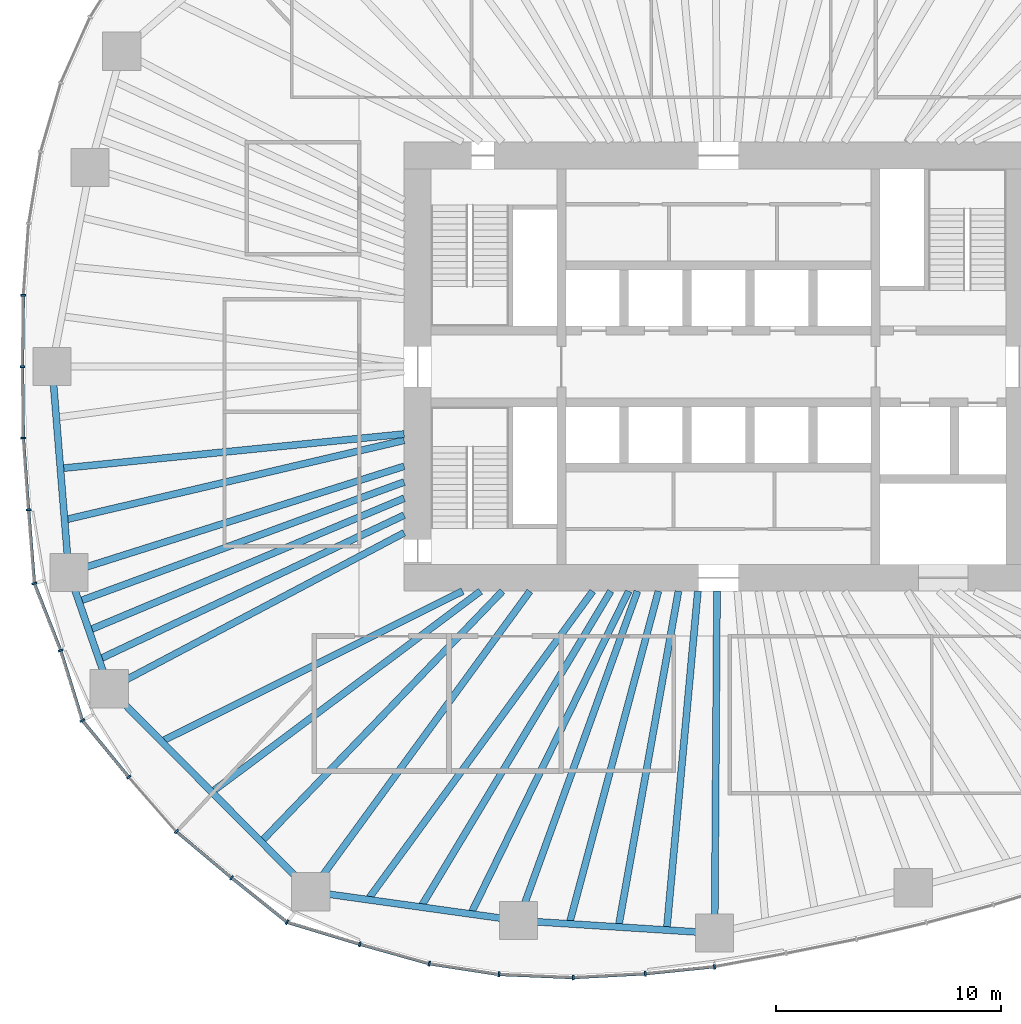
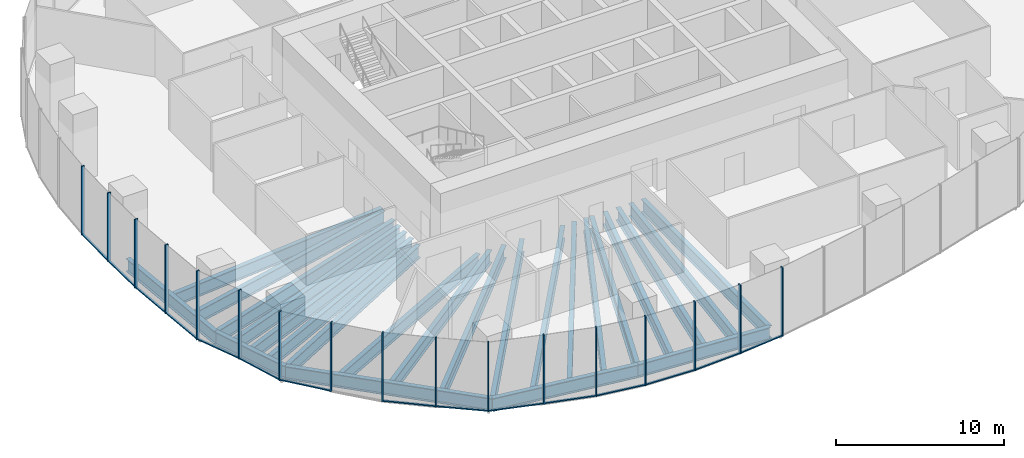
# One storey, part 2 of 20: 32 members, 24 beams, 7 elements without a shape of their own.
"""IFC4 building model written with IfcOpenShell, lengths in metres."""

from ifc_helpers import new_model, si_unit, direction, frame, origin, origin_2d, place, context, subcontext, project, spatial, rectangle, i_section, extrude, material, material_profile, profile_set, type_object, element, aggregate, save


model = new_model("IFC4")

# Units and contexts
model_context = context("Model", 3, precision=1e-05, world=origin(), true_north=direction((0.0, 1.0)))
body_context = subcontext(model_context, "Body", "Model", "MODEL_VIEW")
ifc_project = project(units=[si_unit("LENGTHUNIT", "METRE"), si_unit("AREAUNIT", "SQUARE_METRE"), si_unit("VOLUMEUNIT", "CUBIC_METRE"), si_unit("PLANEANGLEUNIT", "RADIAN"), si_unit("MASSUNIT", "GRAM", prefix="KILO")], contexts=[model_context])

# Site, building, storey
site_placement = place(None, origin())
site = spatial("IfcSite", under=ifc_project, at=site_placement, CompositionType="ELEMENT")
building_placement = place(site_placement, origin())
building = spatial("IfcBuilding", under=site, at=building_placement, Name="Ghaith Harvest Tower", CompositionType="ELEMENT")
storey_placement = place(building_placement, frame((0.0, 0.0, 65.0)))
storey = spatial("IfcBuildingStorey", under=building, at=storey_placement, Name="L13", CompositionType="ELEMENT", Elevation=65.0)

# Curtain wall, member
ifc_material_1 = material(Name="Black anodised aluminium and fritted glass", Category="aluminium")
curtain_wall_type = type_object("IfcCurtainWallType", Name="CW-F CURTAIN WALL", PredefinedType="NOTDEFINED", material=ifc_material_1)
curtain_wall_1_placement = place(storey_placement, origin())
curtain_wall_1 = element("IfcCurtainWall", 1, at=curtain_wall_1_placement, inside=storey, type_object=curtain_wall_type, Name="Curtain wall CW-F bay 10 L13", PredefinedType="NOTDEFINED")
ifc_material_2 = material(Name="Aluminium, black anodised", Category="aluminium")
ifc_material_profile_1 = material_profile(ifc_material_2, rectangle(XDim=0.080078125, YDim=0.219970703125, at=origin_2d()), Name="CW-F MULLION 80x220")
ifc_profile_set_1 = profile_set([ifc_material_profile_1], Name="Aluminium, black anodised")
member_type_1 = type_object("IfcMemberType", Name="CW-F MULLION 80x220", PredefinedType="MULLION", material=ifc_profile_set_1)
member_1_placement = place(storey_placement, frame((-30.95654296875, 3.177978515625, 0.0), z_axis=(0.0, 0.0, 1.0), x_axis=(-0.042427007767, -0.999099569118, 0.0)))
member_1 = element("IfcMember", 2, at=member_1_placement, type_object=member_type_1, Name="CW-F mullion 3 bay 10 L13", PredefinedType="MULLION", context=body_context, shape_type="SweptSolid", body=[
    extrude(rectangle(XDim=0.080078125, YDim=0.219970703125, at=origin_2d()), origin(), (0.0, 0.0, 1.0), 5.0),
])

# Curtain wall, members
curtain_wall_2_placement = place(storey_placement, origin())
curtain_wall_2 = element("IfcCurtainWall", 3, at=curtain_wall_2_placement, inside=storey, type_object=curtain_wall_type, Name="Curtain wall CW-F bay 11 L13", PredefinedType="NOTDEFINED")
member_2_placement = place(storey_placement, frame((-30.9951171875, 0.0, 0.0), z_axis=(0.0, 0.0, 1.0), x_axis=(1.4e-10, -1.0, 0.0)))
member_2 = element("IfcMember", 4, at=member_2_placement, type_object=member_type_1, Name="CW-F mullion 1 bay 11 L13", PredefinedType="MULLION", context=body_context, shape_type="SweptSolid", body=[
    extrude(rectangle(XDim=0.080078125, YDim=0.219970703125, at=origin_2d()), origin(), (0.0, 0.0, 1.0), 5.0),
])
member_3_placement = place(storey_placement, frame((-30.95654296875, -3.177978515625, 0.0), z_axis=(0.0, 0.0, 1.0), x_axis=(0.042427007872, -0.999099569114, 0.0)))
member_3 = element("IfcMember", 5, at=member_3_placement, type_object=member_type_1, Name="CW-F mullion 2 bay 11 L13", PredefinedType="MULLION", context=body_context, shape_type="SweptSolid", body=[
    extrude(rectangle(XDim=0.080078125, YDim=0.219970703125, at=origin_2d()), origin(), (0.0, 0.0, 1.0), 5.0),
])
member_4_placement = place(storey_placement, frame((-30.724365234375, -6.37548828125, 0.0), z_axis=(0.0, 0.0, 1.0), x_axis=(0.07568573288, -0.997131721408, 0.0)))
member_4 = element("IfcMember", 6, at=member_4_placement, type_object=member_type_1, Name="CW-F mullion 3 bay 11 L13", PredefinedType="MULLION", context=body_context, shape_type="SweptSolid", body=[
    extrude(rectangle(XDim=0.080078125, YDim=0.219970703125, at=origin_2d()), origin(), (0.0, 0.0, 1.0), 5.0),
])

curtain_wall_3_placement = place(storey_placement, origin())
curtain_wall_3 = element("IfcCurtainWall", 7, at=curtain_wall_3_placement, inside=storey, type_object=curtain_wall_type, Name="Curtain wall CW-F bay 12 L13", PredefinedType="NOTDEFINED")
member_5_placement = place(storey_placement, frame((-30.46484375, -9.65478515625, 0.0), z_axis=(0.0, 0.0, 1.0), x_axis=(0.222967363441, -0.974825910017, 0.0)))
member_5 = element("IfcMember", 8, at=member_5_placement, type_object=member_type_1, Name="CW-F mullion 1 bay 12 L13", PredefinedType="MULLION", context=body_context, shape_type="SweptSolid", body=[
    extrude(rectangle(XDim=0.080078125, YDim=0.219970703125, at=origin_2d()), origin(), (0.0, 0.0, 1.0), 5.0),
])
member_6_placement = place(storey_placement, frame((-29.29248046875, -12.63525390625, 0.0), z_axis=(0.0, 0.0, 1.0), x_axis=(0.330700518925, -0.943735750506, 0.0)))
member_6 = element("IfcMember", 9, at=member_6_placement, type_object=member_type_1, Name="CW-F mullion 2 bay 12 L13", PredefinedType="MULLION", context=body_context, shape_type="SweptSolid", body=[
    extrude(rectangle(XDim=0.080078125, YDim=0.219970703125, at=origin_2d()), origin(), (0.0, 0.0, 1.0), 5.0),
])
member_7_placement = place(storey_placement, frame((-28.3271484375, -15.7548828125, 0.0), z_axis=(0.0, 0.0, 1.0), x_axis=(0.473265082527, -0.880920065421, 0.0)))
member_7 = element("IfcMember", 10, at=member_7_placement, type_object=member_type_1, Name="CW-F mullion 3 bay 12 L13", PredefinedType="MULLION", context=body_context, shape_type="SweptSolid", body=[
    extrude(rectangle(XDim=0.080078125, YDim=0.219970703125, at=origin_2d()), origin(), (0.0, 0.0, 1.0), 5.0),
])

curtain_wall_4_placement = place(storey_placement, origin())
curtain_wall_4 = element("IfcCurtainWall", 11, at=curtain_wall_4_placement, inside=storey, type_object=curtain_wall_type, Name="Curtain wall CW-F bay 13 L13", PredefinedType="NOTDEFINED")
member_8_placement = place(storey_placement, frame((-26.26318359375, -18.274169921875, 0.0), z_axis=(0.0, 0.0, 1.0), x_axis=(0.646523538748, -0.762894038412, 0.0)))
member_8 = element("IfcMember", 12, at=member_8_placement, type_object=member_type_1, Name="CW-F mullion 1 bay 13 L13", PredefinedType="MULLION", context=body_context, shape_type="SweptSolid", body=[
    extrude(rectangle(XDim=0.080078125, YDim=0.219970703125, at=origin_2d()), origin(), (0.0, 0.0, 1.0), 5.0),
])
member_9_placement = place(storey_placement, frame((-24.139404296875, -20.696533203125, 0.0), z_axis=(0.0, 0.0, 1.0), x_axis=(0.714663248554, -0.699468684907, 0.0)))
member_9 = element("IfcMember", 13, at=member_9_placement, type_object=member_type_1, Name="CW-F mullion 2 bay 13 L13", PredefinedType="MULLION", context=body_context, shape_type="SweptSolid", body=[
    extrude(rectangle(XDim=0.080078125, YDim=0.219970703125, at=origin_2d()), origin(), (0.0, 0.0, 1.0), 5.0),
])
member_10_placement = place(storey_placement, frame((-21.681640625, -22.758056640625, 0.0), z_axis=(0.0, 0.0, 1.0), x_axis=(0.773138721505, -0.634236956751, 0.0)))
member_10 = element("IfcMember", 14, at=member_10_placement, type_object=member_type_1, Name="CW-F mullion 3 bay 13 L13", PredefinedType="MULLION", context=body_context, shape_type="SweptSolid", body=[
    extrude(rectangle(XDim=0.080078125, YDim=0.219970703125, at=origin_2d()), origin(), (0.0, 0.0, 1.0), 5.0),
])

curtain_wall_5_placement = place(storey_placement, origin())
curtain_wall_5 = element("IfcCurtainWall", 15, at=curtain_wall_5_placement, inside=storey, type_object=curtain_wall_type, Name="Curtain wall CW-F bay 14 L13", PredefinedType="NOTDEFINED")
member_11_placement = place(storey_placement, frame((-19.212646484375, -24.73828125, 0.0), z_axis=(0.0, 0.0, 1.0), x_axis=(0.887912253774, -0.460012858079, 0.0)))
member_11 = element("IfcMember", 16, at=member_11_placement, type_object=member_type_1, Name="CW-F mullion 1 bay 14 L13", PredefinedType="MULLION", context=body_context, shape_type="SweptSolid", body=[
    extrude(rectangle(XDim=0.080078125, YDim=0.219970703125, at=origin_2d()), origin(), (0.0, 0.0, 1.0), 5.0),
])
member_12_placement = place(storey_placement, frame((-15.97119140625, -25.716552734375, 0.0), z_axis=(0.0, 0.0, 1.0), x_axis=(0.960008876539, -0.279969564356, 0.0)))
member_12 = element("IfcMember", 17, at=member_12_placement, type_object=member_type_1, Name="CW-F mullion 2 bay 14 L13", PredefinedType="MULLION", context=body_context, shape_type="SweptSolid", body=[
    extrude(rectangle(XDim=0.080078125, YDim=0.219970703125, at=origin_2d()), origin(), (0.0, 0.0, 1.0), 5.0),
])
member_13_placement = place(storey_placement, frame((-12.880615234375, -26.5849609375, 0.0), z_axis=(0.0, 0.0, 1.0), x_axis=(0.977207016024, -0.212288595628, 0.0)))
member_13 = element("IfcMember", 18, at=member_13_placement, type_object=member_type_1, Name="CW-F mullion 3 bay 14 L13", PredefinedType="MULLION", context=body_context, shape_type="SweptSolid", body=[
    extrude(rectangle(XDim=0.080078125, YDim=0.219970703125, at=origin_2d()), origin(), (0.0, 0.0, 1.0), 5.0),
])

curtain_wall_6_placement = place(storey_placement, origin())
curtain_wall_6 = element("IfcCurtainWall", 19, at=curtain_wall_6_placement, inside=storey, type_object=curtain_wall_type, Name="Curtain wall CW-F bay 15 L13", PredefinedType="NOTDEFINED")
member_14_placement = place(storey_placement, frame((-9.7744140625, -27.062744140625, 0.0), z_axis=(0.0, 0.0, 1.0), x_axis=(0.995408459417, -0.095718331168, 0.0)))
member_14 = element("IfcMember", 20, at=member_14_placement, type_object=member_type_1, Name="CW-F mullion 1 bay 15 L13", PredefinedType="MULLION", context=body_context, shape_type="SweptSolid", body=[
    extrude(rectangle(XDim=0.080078125, YDim=0.219970703125, at=origin_2d()), origin(), (0.0, 0.0, 1.0), 5.0),
])
member_15_placement = place(storey_placement, frame((-6.465087890625, -27.20166015625, 0.0), z_axis=(0.0, 0.0, 1.0), x_axis=(0.999987206373, 0.005058368251, 0.0)))
member_15 = element("IfcMember", 21, at=member_15_placement, type_object=member_type_1, Name="CW-F mullion 2 bay 15 L13", PredefinedType="MULLION", context=body_context, shape_type="SweptSolid", body=[
    extrude(rectangle(XDim=0.080078125, YDim=0.219970703125, at=origin_2d()), origin(), (0.0, 0.0, 1.0), 5.0),
])
member_16_placement = place(storey_placement, frame((-3.261962890625, -27.02978515625, 0.0), z_axis=(0.0, 0.0, 1.0), x_axis=(0.997037536276, 0.07691652135, 0.0)))
member_16 = element("IfcMember", 22, at=member_16_placement, type_object=member_type_1, Name="CW-F mullion 3 bay 15 L13", PredefinedType="MULLION", context=body_context, shape_type="SweptSolid", body=[
    extrude(rectangle(XDim=0.080078125, YDim=0.219970703125, at=origin_2d()), origin(), (0.0, 0.0, 1.0), 5.0),
])

# Curtain wall, member
curtain_wall_7_placement = place(storey_placement, origin())
curtain_wall_7 = element("IfcCurtainWall", 23, at=curtain_wall_7_placement, inside=storey, type_object=curtain_wall_type, Name="Curtain wall CW-F bay 16 L13", PredefinedType="NOTDEFINED")
member_17_placement = place(storey_placement, frame((-0.182861328125, -26.717041015625, 0.0), z_axis=(0.0, 0.0, 1.0), x_axis=(0.98971187144, 0.143074845907, 0.0)))
member_17 = element("IfcMember", 24, at=member_17_placement, type_object=member_type_1, Name="CW-F mullion 1 bay 16 L13", PredefinedType="MULLION", context=body_context, shape_type="SweptSolid", body=[
    extrude(rectangle(XDim=0.080078125, YDim=0.219970703125, at=origin_2d()), origin(), (0.0, 0.0, 1.0), 5.0),
])
aggregate(curtain_wall_7, [member_17])

# Member
ifc_material_3 = material(Name="Aluminium, black anodised", Category="aluminium")
ifc_material_profile_2 = material_profile(ifc_material_3, rectangle(XDim=0.139892578125, YDim=0.080078125, at=origin_2d()), Name="CW-F TRANSOM 140x80")
ifc_profile_set_2 = profile_set([ifc_material_profile_2], Name="Aluminium, black anodised")
member_type_2 = type_object("IfcMemberType", Name="CW-F TRANSOM 140x80", PredefinedType="USERDEFINED", material=ifc_profile_set_2)
member_18_placement = place(storey_placement, frame((-30.95703125, 3.137939453125, 0.0400390625), z_axis=(-0.012135602457, -0.999926360865, 0.0), x_axis=(0.999926360865, -0.012135602457, 0.0)))
member_18 = element("IfcMember", 25, at=member_18_placement, type_object=member_type_2, Name="CW-F transom 3 bay 10 L13", ObjectType="TRANSOM", PredefinedType="USERDEFINED", context=body_context, shape_type="SweptSolid", body=[
    extrude(rectangle(XDim=0.139892578125, YDim=0.080078125, at=origin_2d()), origin(), (0.0, 0.0, 1.0), 3.09814453125),
])

aggregate(curtain_wall_1, [member_1, member_18])

member_19_placement = place(storey_placement, frame((-30.99462890625, -0.0400390625, 0.0400390625), z_axis=(0.012135602457, -0.999926360865, 0.0), x_axis=(0.999926360865, 0.012135602457, 0.0)))
member_19 = element("IfcMember", 26, at=member_19_placement, type_object=member_type_2, Name="CW-F transom 1 bay 11 L13", ObjectType="TRANSOM", PredefinedType="USERDEFINED", context=body_context, shape_type="SweptSolid", body=[
    extrude(rectangle(XDim=0.139892578125, YDim=0.080078125, at=origin_2d()), origin(), (0.0, 0.0, 1.0), 3.09814453125),
])

member_20_placement = place(storey_placement, frame((-30.95361328125, -3.2177734375, 0.0400390625), z_axis=(0.072473547161, -0.997370334912, 0.0), x_axis=(0.997370334912, 0.072473547161, 0.0)))
member_20 = element("IfcMember", 27, at=member_20_placement, type_object=member_type_2, Name="CW-F transom 2 bay 11 L13", ObjectType="TRANSOM", PredefinedType="USERDEFINED", context=body_context, shape_type="SweptSolid", body=[
    extrude(rectangle(XDim=0.139892578125, YDim=0.080078125, at=origin_2d()), origin(), (0.0, 0.0, 1.0), 3.126220703125),
])

member_21_placement = place(storey_placement, frame((-30.72119140625, -6.415283203125, 0.0400390625), z_axis=(0.078877539502, -0.996884313129, 0.0), x_axis=(0.996884313129, 0.078877539502, 0.0)))
member_21 = element("IfcMember", 28, at=member_21_placement, type_object=member_type_2, Name="CW-F transom 3 bay 11 L13", ObjectType="TRANSOM", PredefinedType="USERDEFINED", context=body_context, shape_type="SweptSolid", body=[
    extrude(rectangle(XDim=0.139892578125, YDim=0.080078125, at=origin_2d()), origin(), (0.0, 0.0, 1.0), 3.209716796875),
])

aggregate(curtain_wall_2, [member_2, member_19, member_3, member_20, member_4, member_21])

member_22_placement = place(storey_placement, frame((-30.4501953125, -9.692138671875, 0.0400390625), z_axis=(0.366046617161, -0.93059651518, 0.0), x_axis=(0.93059651518, 0.366046617161, 0.0)))
member_22 = element("IfcMember", 29, at=member_22_placement, type_object=member_type_2, Name="CW-F transom 1 bay 12 L13", ObjectType="TRANSOM", PredefinedType="USERDEFINED", context=body_context, shape_type="SweptSolid", body=[
    extrude(rectangle(XDim=0.139892578125, YDim=0.080078125, at=origin_2d()), origin(), (0.0, 0.0, 1.0), 3.122802734375),
])

member_23_placement = place(storey_placement, frame((-29.28076171875, -12.673583984375, 0.0400390625), z_axis=(0.295598800908, -0.955312173534, 0.0), x_axis=(0.955312173534, 0.295598800908, 0.0)))
member_23 = element("IfcMember", 30, at=member_23_placement, type_object=member_type_2, Name="CW-F transom 2 bay 12 L13", ObjectType="TRANSOM", PredefinedType="USERDEFINED", context=body_context, shape_type="SweptSolid", body=[
    extrude(rectangle(XDim=0.139892578125, YDim=0.080078125, at=origin_2d()), origin(), (0.0, 0.0, 1.0), 3.185546875),
])

member_24_placement = place(storey_placement, frame((-28.302001953125, -15.785888671875, 0.0400390625), z_axis=(0.633790042943, -0.773505126982, 0.0), x_axis=(0.773505126982, 0.633790042943, 0.0)))
member_24 = element("IfcMember", 31, at=member_24_placement, type_object=member_type_2, Name="CW-F transom 3 bay 12 L13", ObjectType="TRANSOM", PredefinedType="USERDEFINED", context=body_context, shape_type="SweptSolid", body=[
    extrude(rectangle(XDim=0.139892578125, YDim=0.080078125, at=origin_2d()), origin(), (0.0, 0.0, 1.0), 3.1767578125),
])

aggregate(curtain_wall_3, [member_5, member_22, member_6, member_23, member_7, member_24])

member_25_placement = place(storey_placement, frame((-24.10888671875, -20.72216796875, 0.0400390625), z_axis=(0.766144434184, -0.642668426149, 0.0), x_axis=(0.642668426149, 0.766144434184, 0.0)))
member_25 = element("IfcMember", 32, at=member_25_placement, type_object=member_type_2, Name="CW-F transom 2 bay 13 L13", ObjectType="TRANSOM", PredefinedType="USERDEFINED", context=body_context, shape_type="SweptSolid", body=[
    extrude(rectangle(XDim=0.139892578125, YDim=0.080078125, at=origin_2d()), origin(), (0.0, 0.0, 1.0), 3.1279296875),
])

member_26_placement = place(storey_placement, frame((-21.650634765625, -22.783203125, 0.0400390625), z_axis=(0.780181223133, -0.625553562112, 0.0), x_axis=(0.625553562112, 0.780181223133, 0.0)))
member_26 = element("IfcMember", 33, at=member_26_placement, type_object=member_type_2, Name="CW-F transom 3 bay 13 L13", ObjectType="TRANSOM", PredefinedType="USERDEFINED", context=body_context, shape_type="SweptSolid", body=[
    extrude(rectangle(XDim=0.139892578125, YDim=0.080078125, at=origin_2d()), origin(), (0.0, 0.0, 1.0), 3.085205078125),
])

aggregate(curtain_wall_4, [member_8, member_9, member_25, member_10, member_26])

member_27_placement = place(storey_placement, frame((-19.17431640625, -24.749755859375, 0.0400390625), z_axis=(0.957335035376, -0.288980328121, 0.0), x_axis=(0.288980328121, 0.957335035376, 0.0)))
member_27 = element("IfcMember", 34, at=member_27_placement, type_object=member_type_2, Name="CW-F transom 1 bay 14 L13", ObjectType="TRANSOM", PredefinedType="USERDEFINED", context=body_context, shape_type="SweptSolid", body=[
    extrude(rectangle(XDim=0.139892578125, YDim=0.080078125, at=origin_2d()), origin(), (0.0, 0.0, 1.0), 3.305908203125),
])

member_28_placement = place(storey_placement, frame((-15.9326171875, -25.727294921875, 0.0400390625), z_axis=(0.962727128991, -0.270474536888, 0.0), x_axis=(0.270474536888, 0.962727128991, 0.0)))
member_28 = element("IfcMember", 35, at=member_28_placement, type_object=member_type_2, Name="CW-F transom 2 bay 14 L13", ObjectType="TRANSOM", PredefinedType="USERDEFINED", context=body_context, shape_type="SweptSolid", body=[
    extrude(rectangle(XDim=0.139892578125, YDim=0.080078125, at=origin_2d()), origin(), (0.0, 0.0, 1.0), 3.13037109375),
])

member_29_placement = place(storey_placement, frame((-12.841064453125, -26.591064453125, 0.0400390625), z_axis=(0.988378147633, -0.152015253451, 0.0), x_axis=(0.152015253451, 0.988378147633, 0.0)))
member_29 = element("IfcMember", 36, at=member_29_placement, type_object=member_type_2, Name="CW-F transom 3 bay 14 L13", ObjectType="TRANSOM", PredefinedType="USERDEFINED", context=body_context, shape_type="SweptSolid", body=[
    extrude(rectangle(XDim=0.139892578125, YDim=0.080078125, at=origin_2d()), origin(), (0.0, 0.0, 1.0), 3.062744140625),
])

aggregate(curtain_wall_5, [member_11, member_27, member_12, member_28, member_13, member_29])

member_30_placement = place(storey_placement, frame((-9.734375, -27.064453125, 0.0400390625), z_axis=(0.999117688764, -0.04199814281, 0.0), x_axis=(0.04199814281, 0.999117688764, 0.0)))
member_30 = element("IfcMember", 37, at=member_30_placement, type_object=member_type_2, Name="CW-F transom 1 bay 15 L13", ObjectType="TRANSOM", PredefinedType="USERDEFINED", context=body_context, shape_type="SweptSolid", body=[
    extrude(rectangle(XDim=0.139892578125, YDim=0.080078125, at=origin_2d()), origin(), (0.0, 0.0, 1.0), 3.232177734375),
])

member_31_placement = place(storey_placement, frame((-6.42529296875, -27.19970703125, 0.0400390625), z_axis=(0.99856142387, 0.053619798202, 0.0), x_axis=(-0.053619798202, 0.99856142387, 0.0)))
member_31 = element("IfcMember", 38, at=member_31_placement, type_object=member_type_2, Name="CW-F transom 2 bay 15 L13", ObjectType="TRANSOM", PredefinedType="USERDEFINED", context=body_context, shape_type="SweptSolid", body=[
    extrude(rectangle(XDim=0.139892578125, YDim=0.080078125, at=origin_2d()), origin(), (0.0, 0.0, 1.0), 3.1279296875),
])

member_32_placement = place(storey_placement, frame((-3.22216796875, -27.02587890625, 0.0400390625), z_axis=(0.994880435036, 0.101058992587, 0.0), x_axis=(-0.101058992587, 0.994880435036, 0.0)))
member_32 = element("IfcMember", 39, at=member_32_placement, type_object=member_type_2, Name="CW-F transom 3 bay 15 L13", ObjectType="TRANSOM", PredefinedType="USERDEFINED", context=body_context, shape_type="SweptSolid", body=[
    extrude(rectangle(XDim=0.139892578125, YDim=0.080078125, at=origin_2d()), origin(), (0.0, 0.0, 1.0), 3.014892578125),
])

aggregate(curtain_wall_6, [member_14, member_30, member_15, member_31, member_16, member_32])

# Beams
ifc_material_4 = material(Name="Steel ASTM A992 Grade 50", Category="steel")
ifc_material_profile_3 = material_profile(ifc_material_4, i_section(OverallWidth=0.306884765625, OverallDepth=0.94189453125, WebThickness=0.022216796875, FlangeThickness=0.039794921875, at=origin_2d()), Name="W920X345")
ifc_profile_set_3 = profile_set([ifc_material_profile_3], Name="Steel ASTM A992 Grade 50")
beam_type_1 = type_object("IfcBeamType", Name="E920-345 W920X345", PredefinedType="SPANDREL", material=ifc_profile_set_3)
beam_1_placement = place(storey_placement, frame((-29.675048828125, 0.0, -0.6708984375), z_axis=(0.081006863421, -0.996713543642, 0.0), x_axis=(0.996713543642, 0.081006863421, 0.0)))
element("IfcBeam", 40, at=beam_1_placement, inside=storey, type_object=beam_type_1, Name="Edge beam E11 L13", PredefinedType="SPANDREL", context=body_context, shape_type="SweptSolid", body=[
    extrude(i_section(OverallWidth=0.306884765625, OverallDepth=0.94189453125, WebThickness=0.022216796875, FlangeThickness=0.039794921875, at=origin_2d()), origin(), (0.0, 0.0, 1.0), 9.1982421875),
])
beam_2_placement = place(storey_placement, frame((-28.929931640625, -9.16796875, -0.6708984375), z_axis=(0.328278550319, -0.944580961803, 0.0), x_axis=(0.944580961803, 0.328278550319, 0.0)))
element("IfcBeam", 41, at=beam_2_placement, inside=storey, type_object=beam_type_1, Name="Edge beam E12 L13", PredefinedType="SPANDREL", context=body_context, shape_type="SweptSolid", body=[
    extrude(i_section(OverallWidth=0.306884765625, OverallDepth=0.94189453125, WebThickness=0.022216796875, FlangeThickness=0.039794921875, at=origin_2d()), origin(), (0.0, 0.0, 1.0), 5.4765625),
])
beam_3_placement = place(storey_placement, frame((-27.132080078125, -14.341064453125, -0.6708984375), z_axis=(0.704562513714, -0.709641926798, 0.0), x_axis=(0.709641926798, 0.704562513714, 0.0)))
element("IfcBeam", 42, at=beam_3_placement, inside=storey, type_object=beam_type_1, Name="Edge beam E13 L13", PredefinedType="SPANDREL", context=body_context, shape_type="SweptSolid", body=[
    extrude(i_section(OverallWidth=0.306884765625, OverallDepth=0.94189453125, WebThickness=0.022216796875, FlangeThickness=0.039794921875, at=origin_2d()), origin(), (0.0, 0.0, 1.0), 12.737060546875),
])
beam_4_placement = place(storey_placement, frame((-18.157958984375, -23.3798828125, -0.6708984375), z_axis=(0.990441143901, -0.137936001352, 0.0), x_axis=(0.137936001352, 0.990441143901, 0.0)))
element("IfcBeam", 43, at=beam_4_placement, inside=storey, type_object=beam_type_1, Name="Edge beam E14 L13", PredefinedType="SPANDREL", context=body_context, shape_type="SweptSolid", body=[
    extrude(i_section(OverallWidth=0.306884765625, OverallDepth=0.94189453125, WebThickness=0.022216796875, FlangeThickness=0.039794921875, at=origin_2d()), origin(), (0.0, 0.0, 1.0), 9.33837890625),
])
beam_5_placement = place(storey_placement, frame((-8.908935546875, -24.66796875, -0.6708984375), z_axis=(0.99797963184, -0.063534671101, 0.0), x_axis=(0.063534671101, 0.99797963184, 0.0)))
element("IfcBeam", 44, at=beam_5_placement, inside=storey, type_object=beam_type_1, Name="Edge beam E15 L13", PredefinedType="SPANDREL", context=body_context, shape_type="SweptSolid", body=[
    extrude(i_section(OverallWidth=0.306884765625, OverallDepth=0.94189453125, WebThickness=0.022216796875, FlangeThickness=0.039794921875, at=origin_2d()), origin(), (0.0, 0.0, 1.0), 8.75341796875),
])
ifc_material_5 = material(Name="Steel ASTM A992 Grade 50", Category="steel")
ifc_material_profile_4 = material_profile(ifc_material_5, i_section(OverallWidth=0.306884765625, OverallDepth=0.94189453125, WebThickness=0.022216796875, FlangeThickness=0.039794921875, at=origin_2d()), Name="W920X345")
ifc_profile_set_4 = profile_set([ifc_material_profile_4], Name="Steel ASTM A992 Grade 50")
beam_type_2 = type_object("IfcBeamType", Name="G920-345 W920X345", PredefinedType="BEAM", material=ifc_profile_set_4)
beam_6_placement = place(storey_placement, frame((-14.0, -4.43701171875, -0.6708984375), z_axis=(-0.953284407194, -0.302074227636, 0.0), x_axis=(0.302074227636, -0.953284407194, 0.0)))
element("IfcBeam", 45, at=beam_6_placement, inside=storey, type_object=beam_type_2, Name="Radial girder G12 L13", PredefinedType="BEAM", context=body_context, shape_type="SweptSolid", body=[
    extrude(i_section(OverallWidth=0.306884765625, OverallDepth=0.94189453125, WebThickness=0.022216796875, FlangeThickness=0.039794921875, at=origin_2d()), origin(), (0.0, 0.0, 1.0), 15.66162109375),
])
beam_7_placement = place(storey_placement, frame((-14.0, -7.39990234375, -0.6708984375), z_axis=(-0.884097171481, -0.467303104397, 0.0), x_axis=(0.467303104397, -0.884097171481, 0.0)))
element("IfcBeam", 46, at=beam_7_placement, inside=storey, type_object=beam_type_2, Name="Radial girder G13 L13", PredefinedType="BEAM", context=body_context, shape_type="SweptSolid", body=[
    extrude(i_section(OverallWidth=0.306884765625, OverallDepth=0.94189453125, WebThickness=0.022216796875, FlangeThickness=0.039794921875, at=origin_2d()), origin(), (0.0, 0.0, 1.0), 14.853759765625),
])
beam_8_placement = place(storey_placement, frame((-8.39990234375, -10.0, -0.6708984375), z_axis=(-0.589246749374, -0.807953134997, 0.0), x_axis=(0.807953134997, -0.589246749374, 0.0)))
element("IfcBeam", 47, at=beam_8_placement, inside=storey, type_object=beam_type_2, Name="Radial girder G14 L13", PredefinedType="BEAM", context=body_context, shape_type="SweptSolid", body=[
    extrude(i_section(OverallWidth=0.306884765625, OverallDepth=0.94189453125, WebThickness=0.022216796875, FlangeThickness=0.039794921875, at=origin_2d()), origin(), (0.0, 0.0, 1.0), 16.560302734375),
])
beam_9_placement = place(storey_placement, frame((-3.61181640625, -10.0, -0.6708984375), z_axis=(-0.339664467784, -0.940546675782, 0.0), x_axis=(0.940546675782, -0.339664467784, 0.0)))
element("IfcBeam", 48, at=beam_9_placement, inside=storey, type_object=beam_type_2, Name="Radial girder G15 L13", PredefinedType="BEAM", context=body_context, shape_type="SweptSolid", body=[
    extrude(i_section(OverallWidth=0.306884765625, OverallDepth=0.94189453125, WebThickness=0.022216796875, FlangeThickness=0.039794921875, at=origin_2d()), origin(), (0.0, 0.0, 1.0), 15.59521484375),
])
beam_10_placement = place(storey_placement, frame((-0.068359375, -10.0, -0.6708984375), z_axis=(-0.006879467722, -0.999976336182, 0.0), x_axis=(0.999976336182, -0.006879467722, 0.0)))
element("IfcBeam", 49, at=beam_10_placement, inside=storey, type_object=beam_type_2, Name="Radial girder G16 L13", PredefinedType="BEAM", context=body_context, shape_type="SweptSolid", body=[
    extrude(i_section(OverallWidth=0.306884765625, OverallDepth=0.94189453125, WebThickness=0.022216796875, FlangeThickness=0.039794921875, at=origin_2d()), origin(), (0.0, 0.0, 1.0), 15.224365234375),
])
ifc_material_6 = material(Name="Steel ASTM A992 Grade 50", Category="steel")
ifc_material_profile_5 = material_profile(ifc_material_6, i_section(OverallWidth=0.31005859375, OverallDepth=0.927001953125, WebThickness=0.019287109375, FlangeThickness=0.031982421875, at=origin_2d()), Name="W920X289")
ifc_profile_set_5 = profile_set([ifc_material_profile_5], Name="Steel ASTM A992 Grade 50")
beam_type_3 = type_object("IfcBeamType", Name="J920-289 W920X289", PredefinedType="JOIST", material=ifc_profile_set_5)
beam_11_placement = place(storey_placement, frame((-14.0, -3.0, -0.66357421875), z_axis=(-0.995023982133, -0.099635711366, 0.0), x_axis=(0.099635711366, -0.995023982133, 0.0)))
element("IfcBeam", 50, at=beam_11_placement, inside=storey, type_object=beam_type_3, Name="Joist J11.2 L13", PredefinedType="JOIST", context=body_context, shape_type="SweptSolid", body=[
    extrude(i_section(OverallWidth=0.31005859375, OverallDepth=0.927001953125, WebThickness=0.019287109375, FlangeThickness=0.031982421875, at=origin_2d()), origin(), (0.0, 0.0, 1.0), 15.38330078125),
])
beam_12_placement = place(storey_placement, frame((-14.0, -3.280517578125, -0.66357421875), z_axis=(-0.973622531394, -0.228164778969, 0.0), x_axis=(0.228164778969, -0.973622531394, 0.0)))
element("IfcBeam", 51, at=beam_12_placement, inside=storey, type_object=beam_type_3, Name="Joist J11.3 L13", PredefinedType="JOIST", context=body_context, shape_type="SweptSolid", body=[
    extrude(i_section(OverallWidth=0.31005859375, OverallDepth=0.927001953125, WebThickness=0.019287109375, FlangeThickness=0.031982421875, at=origin_2d()), origin(), (0.0, 0.0, 1.0), 15.5302734375),
])
beam_13_placement = place(storey_placement, frame((-14.0, -5.137939453125, -0.66357421875), z_axis=(-0.938772784742, -0.344536875569, 0.0), x_axis=(0.344536875569, -0.938772784742, 0.0)))
element("IfcBeam", 52, at=beam_13_placement, inside=storey, type_object=beam_type_3, Name="Joist J12.1 L13", PredefinedType="JOIST", context=body_context, shape_type="SweptSolid", body=[
    extrude(i_section(OverallWidth=0.31005859375, OverallDepth=0.927001953125, WebThickness=0.019287109375, FlangeThickness=0.031982421875, at=origin_2d()), origin(), (0.0, 0.0, 1.0), 15.427734375),
])
beam_14_placement = place(storey_placement, frame((-14.0, -5.862548828125, -0.66357421875), z_axis=(-0.922389547545, -0.386260951404, 0.0), x_axis=(0.386260951404, -0.922389547545, 0.0)))
element("IfcBeam", 53, at=beam_14_placement, inside=storey, type_object=beam_type_3, Name="Joist J12.2 L13", PredefinedType="JOIST", context=body_context, shape_type="SweptSolid", body=[
    extrude(i_section(OverallWidth=0.31005859375, OverallDepth=0.927001953125, WebThickness=0.019287109375, FlangeThickness=0.031982421875, at=origin_2d()), origin(), (0.0, 0.0, 1.0), 15.216796875),
])
beam_15_placement = place(storey_placement, frame((-14.0, -6.614990234375, -0.66357421875), z_axis=(-0.904152605228, -0.427209628239, 0.0), x_axis=(0.427209628239, -0.904152605228, 0.0)))
element("IfcBeam", 54, at=beam_15_placement, inside=storey, type_object=beam_type_3, Name="Joist J12.3 L13", PredefinedType="JOIST", context=body_context, shape_type="SweptSolid", body=[
    extrude(i_section(OverallWidth=0.31005859375, OverallDepth=0.927001953125, WebThickness=0.019287109375, FlangeThickness=0.031982421875, at=origin_2d()), origin(), (0.0, 0.0, 1.0), 15.0263671875),
])
beam_16_placement = place(storey_placement, frame((-11.39990234375, -10.0, -0.66357421875), z_axis=(-0.894746445211, -0.446574516495, 0.0), x_axis=(0.446574516495, -0.894746445211, 0.0)))
element("IfcBeam", 55, at=beam_16_placement, inside=storey, type_object=beam_type_3, Name="Joist J13.1 L13", PredefinedType="JOIST", context=body_context, shape_type="SweptSolid", body=[
    extrude(i_section(OverallWidth=0.31005859375, OverallDepth=0.927001953125, WebThickness=0.019287109375, FlangeThickness=0.031982421875, at=origin_2d()), origin(), (0.0, 0.0, 1.0), 14.977783203125),
])
beam_17_placement = place(storey_placement, frame((-10.60009765625, -10.0, -0.66357421875), z_axis=(-0.800995319048, -0.598670609653, 0.0), x_axis=(0.598670609653, -0.800995319048, 0.0)))
element("IfcBeam", 56, at=beam_17_placement, inside=storey, type_object=beam_type_3, Name="Joist J13.2 L13", PredefinedType="JOIST", context=body_context, shape_type="SweptSolid", body=[
    extrude(i_section(OverallWidth=0.31005859375, OverallDepth=0.927001953125, WebThickness=0.019287109375, FlangeThickness=0.031982421875, at=origin_2d()), origin(), (0.0, 0.0, 1.0), 14.936279296875),
])
beam_18_placement = place(storey_placement, frame((-1.785888671875, -10.0, -0.66357421875), z_axis=(-0.175792307544, -0.984427277461, 0.0), x_axis=(0.984427277461, -0.175792307544, 0.0)))
element("IfcBeam", 57, at=beam_18_placement, inside=storey, type_object=beam_type_3, Name="Joist J15.2 L13", PredefinedType="JOIST", context=body_context, shape_type="SweptSolid", body=[
    extrude(i_section(OverallWidth=0.31005859375, OverallDepth=0.927001953125, WebThickness=0.019287109375, FlangeThickness=0.031982421875, at=origin_2d()), origin(), (0.0, 0.0, 1.0), 15.18798828125),
])
beam_19_placement = place(storey_placement, frame((-0.92041015625, -10.0, -0.66357421875), z_axis=(-0.091651457116, -0.995791147987, 0.0), x_axis=(0.995791147987, -0.091651457116, 0.0)))
element("IfcBeam", 58, at=beam_19_placement, inside=storey, type_object=beam_type_3, Name="Joist J15.3 L13", PredefinedType="JOIST", context=body_context, shape_type="SweptSolid", body=[
    extrude(i_section(OverallWidth=0.31005859375, OverallDepth=0.927001953125, WebThickness=0.019287109375, FlangeThickness=0.031982421875, at=origin_2d()), origin(), (0.0, 0.0, 1.0), 15.151611328125),
])
ifc_material_7 = material(Name="Steel ASTM A992 Grade 50", Category="steel")
ifc_material_profile_6 = material_profile(ifc_material_7, i_section(OverallWidth=0.306884765625, OverallDepth=0.94189453125, WebThickness=0.022216796875, FlangeThickness=0.039794921875, at=origin_2d()), Name="W920X345")
ifc_profile_set_6 = profile_set([ifc_material_profile_6], Name="Steel ASTM A992 Grade 50")
beam_type_4 = type_object("IfcBeamType", Name="J920-345 W920X345", PredefinedType="JOIST", material=ifc_profile_set_6)
beam_20_placement = place(storey_placement, frame((-9.626708984375, -10.0, -0.6708984375), z_axis=(-0.69353836378, -0.720419695709, 0.0), x_axis=(0.720419695709, -0.69353836378, 0.0)))
element("IfcBeam", 59, at=beam_20_placement, inside=storey, type_object=beam_type_4, Name="Joist J13.3 L13", PredefinedType="JOIST", context=body_context, shape_type="SweptSolid", body=[
    extrude(i_section(OverallWidth=0.306884765625, OverallDepth=0.94189453125, WebThickness=0.022216796875, FlangeThickness=0.039794921875, at=origin_2d()), origin(), (0.0, 0.0, 1.0), 15.485107421875),
])
beam_21_placement = place(storey_placement, frame((-5.60009765625, -10.0, -0.6708984375), z_axis=(-0.589160240072, -0.808016219836, 0.0), x_axis=(0.808016219836, -0.589160240072, 0.0)))
element("IfcBeam", 60, at=beam_21_placement, inside=storey, type_object=beam_type_4, Name="Joist J14.1 L13", PredefinedType="JOIST", context=body_context, shape_type="SweptSolid", body=[
    extrude(i_section(OverallWidth=0.306884765625, OverallDepth=0.94189453125, WebThickness=0.022216796875, FlangeThickness=0.039794921875, at=origin_2d()), origin(), (0.0, 0.0, 1.0), 16.997314453125),
])
beam_22_placement = place(storey_placement, frame((-4.800048828125, -10.0, -0.6708984375), z_axis=(-0.515226384897, -0.85705412449, 0.0), x_axis=(0.85705412449, -0.515226384897, 0.0)))
element("IfcBeam", 61, at=beam_22_placement, inside=storey, type_object=beam_type_4, Name="Joist J14.2 L13", PredefinedType="JOIST", context=body_context, shape_type="SweptSolid", body=[
    extrude(i_section(OverallWidth=0.306884765625, OverallDepth=0.94189453125, WebThickness=0.022216796875, FlangeThickness=0.039794921875, at=origin_2d()), origin(), (0.0, 0.0, 1.0), 16.408447265625),
])
beam_23_placement = place(storey_placement, frame((-4.0, -10.0, -0.6708984375), z_axis=(-0.439463806704, -0.898260297797, 0.0), x_axis=(0.898260297797, -0.439463806704, 0.0)))
element("IfcBeam", 62, at=beam_23_placement, inside=storey, type_object=beam_type_4, Name="Joist J14.3 L13", PredefinedType="JOIST", context=body_context, shape_type="SweptSolid", body=[
    extrude(i_section(OverallWidth=0.306884765625, OverallDepth=0.94189453125, WebThickness=0.022216796875, FlangeThickness=0.039794921875, at=origin_2d()), origin(), (0.0, 0.0, 1.0), 16.000244140625),
])
beam_24_placement = place(storey_placement, frame((-2.677978515625, -10.0, -0.6708984375), z_axis=(-0.258693109612, -0.965959561803, 0.0), x_axis=(0.965959561803, -0.258693109612, 0.0)))
element("IfcBeam", 63, at=beam_24_placement, inside=storey, type_object=beam_type_4, Name="Joist J15.1 L13", PredefinedType="JOIST", context=body_context, shape_type="SweptSolid", body=[
    extrude(i_section(OverallWidth=0.306884765625, OverallDepth=0.94189453125, WebThickness=0.022216796875, FlangeThickness=0.039794921875, at=origin_2d()), origin(), (0.0, 0.0, 1.0), 15.333984375),
])

save(model, "model.ifc")
